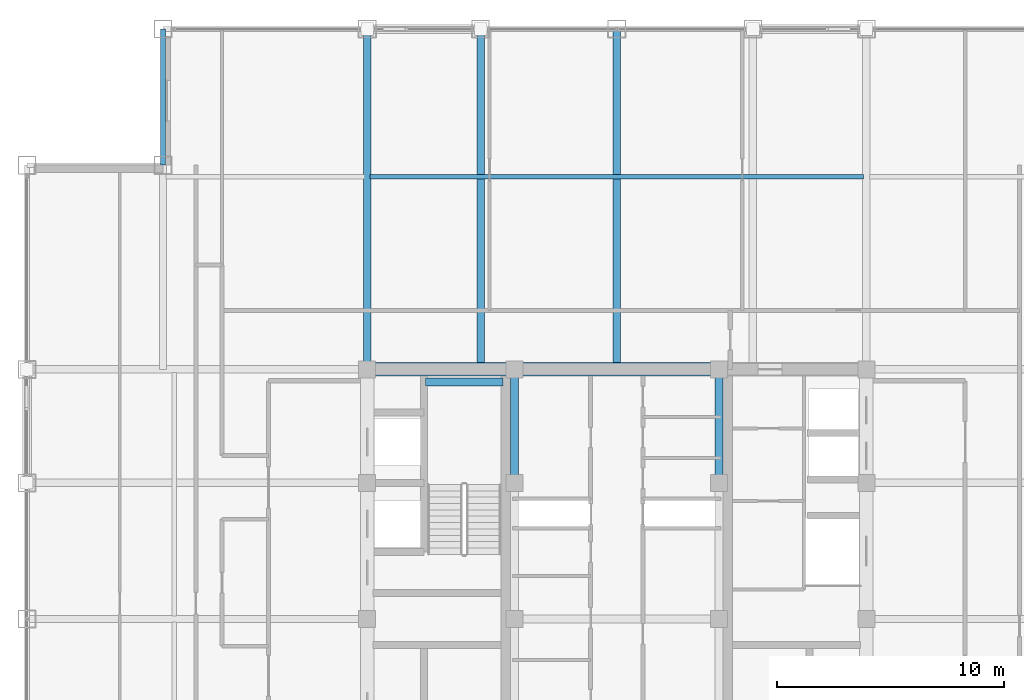
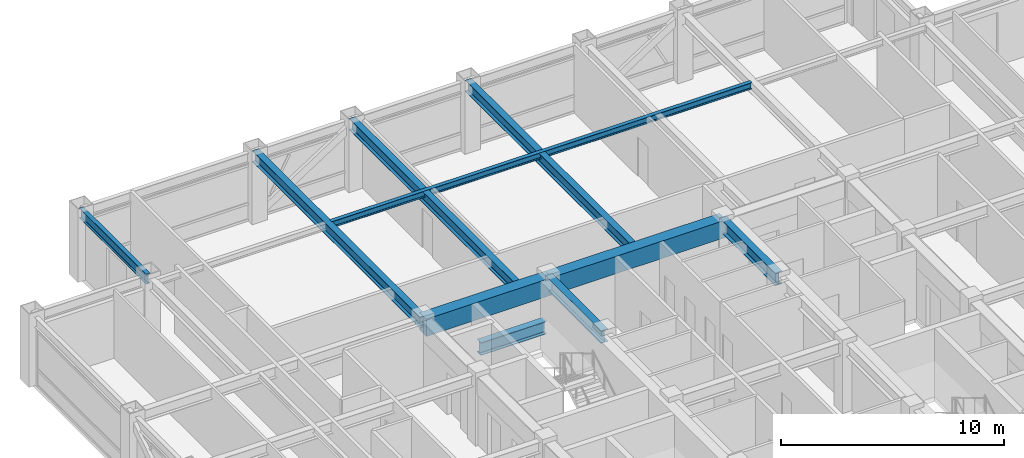
# One storey, part 15 of 28: 10 beams.
"""IFC4 building model written with IfcOpenShell, lengths in metres."""

from ifc_helpers import new_model, si_unit, direction, frame, origin, origin_2d, place, context, subcontext, project, spatial, rectangle, i_section, extrude, source, transform, mapped, material, material_profile, profile_set, type_object, element, save


model = new_model("IFC4")

# Units and contexts
model_context = context("Model", 3, precision=1e-05, world=origin(), true_north=direction((0.0, 1.0)))
body_context = subcontext(model_context, "Body", "Model", "MODEL_VIEW")
ifc_project = project(units=[si_unit("LENGTHUNIT", "METRE"), si_unit("AREAUNIT", "SQUARE_METRE"), si_unit("VOLUMEUNIT", "CUBIC_METRE"), si_unit("PLANEANGLEUNIT", "RADIAN"), si_unit("MASSUNIT", "GRAM", prefix="KILO")], contexts=[model_context])

# Site, building, storey
site_placement = place(None, origin())
site = spatial("IfcSite", under=ifc_project, at=site_placement, CompositionType="ELEMENT")
building_placement = place(site_placement, origin())
building = spatial("IfcBuilding", under=site, at=building_placement, Name="Khorayat Bourse Tower", CompositionType="ELEMENT")
storey_placement = place(building_placement, frame((0.0, 0.0, 338.300048828125)))
storey = spatial("IfcBuildingStorey", under=building, at=storey_placement, Name="L80", CompositionType="ELEMENT", Elevation=338.300048828125)

# Beams
ifc_material_1 = material(Name="Steel ASTM A992 Grade 50", Category="steel")
ifc_material_profile_1 = material_profile(ifc_material_1, i_section(OverallWidth=0.35498046875, OverallDepth=0.695068359375, WebThickness=0.015380859375, FlangeThickness=0.02490234375, FilletRadius=0.01806640625, at=origin_2d()), Name="W690X217")
ifc_profile_set_1 = profile_set([ifc_material_profile_1], Name="Steel ASTM A992 Grade 50")
beam_type_1 = type_object("IfcBeamType", Name="BM-GIRD-690", PredefinedType="BEAM", material=ifc_profile_set_1)
shared_shape_1 = source(origin(), body_context, "Body", "SweptSolid", [
    extrude(i_section(OverallWidth=0.35498046875, OverallDepth=0.695068359375, WebThickness=0.015380859375, FlangeThickness=0.02490234375, FilletRadius=0.01806640625, at=origin_2d()), origin(), (0.0, 0.0, 1.0), 5.0),
])
for number, where, z_axis, x_axis, name in (
    (1, (-4.5, 6.0, 3.392333984375), (0.0, 1.0, 0.0), (-1.0, 0.0, 0.0), "L80 BM-GIRD-690 BM-L80-CRX-08"),
    (2, (4.5, 6.0, 3.392333984375), (0.0, 1.0, 0.0), (-1.0, 0.0, 0.0), "L80 BM-GIRD-690 BM-L80-CRX-12"),
):
    element("IfcBeam", number, at=place(storey_placement, frame(where, z_axis=z_axis, x_axis=x_axis)), inside=storey, type_object=beam_type_1, Name=name, PredefinedType="BEAM", context=body_context, shape_type="MappedRepresentation", body=[
        mapped(shared_shape_1, transform((0.0, 0.0, 0.0), scale=1.0)),
    ])
shared_shape_2 = source(origin(), body_context, "Body", "SweptSolid", [
    extrude(i_section(OverallWidth=0.35498046875, OverallDepth=0.695068359375, WebThickness=0.015380859375, FlangeThickness=0.02490234375, FilletRadius=0.01806640625, at=origin_2d()), origin(), (0.0, 0.0, 1.0), 3.39990234375),
])
beam_1_placement = place(storey_placement, frame((-8.419921875, 10.449951171875, 1.452392578125), z_axis=(1.0, 0.0, 0.0), x_axis=(0.0, 1.0, 0.0)))
element("IfcBeam", 3, at=beam_1_placement, inside=storey, type_object=beam_type_1, Name="L80 BM-GIRD-690 BM-L80-ST2L", PredefinedType="BEAM", context=body_context, shape_type="MappedRepresentation", body=[
    mapped(shared_shape_2, transform((0.0, 0.0, 0.0), scale=1.0)),
])
ifc_material_2 = material(Name="Concrete C60/75", Category="concrete")
ifc_material_profile_2 = material_profile(ifc_material_2, rectangle(XDim=0.60009765625, YDim=0.949951171875, at=origin_2d()), Name="RC 600x950")
ifc_profile_set_2 = profile_set([ifc_material_profile_2], Name="Concrete C60/75")
beam_type_2 = type_object("IfcBeamType", Name="BM-COUP-950", PredefinedType="BEAM", material=ifc_profile_set_2)
shared_shape_3 = source(origin(), body_context, "Body", "SweptSolid", [
    extrude(rectangle(XDim=0.60009765625, YDim=0.949951171875, at=origin_2d()), origin(), (0.0, 0.0, 1.0), 6.5),
])
beam_2_placement = place(storey_placement, frame((-11.0, 11.0, 3.264892578125), z_axis=(1.0, 0.0, 0.0), x_axis=(0.0, 1.0, 0.0)))
element("IfcBeam", 4, at=beam_2_placement, inside=storey, type_object=beam_type_2, Name="L80 BM-COUP-950 BM-L80-CRY-20", PredefinedType="BEAM", context=body_context, shape_type="MappedRepresentation", body=[
    mapped(shared_shape_3, transform((0.0, 0.0, 0.0), scale=1.0)),
])
shared_shape_4 = source(origin(), body_context, "Body", "SweptSolid", [
    extrude(rectangle(XDim=0.60009765625, YDim=0.949951171875, at=origin_2d()), origin(), (0.0, 0.0, 1.0), 9.0),
])
beam_3_placement = place(storey_placement, frame((-4.5, 11.0, 3.264892578125), z_axis=(1.0, 0.0, 0.0), x_axis=(0.0, 1.0, 0.0)))
element("IfcBeam", 5, at=beam_3_placement, inside=storey, type_object=beam_type_2, Name="L80 BM-COUP-950 BM-L80-CRY-21", PredefinedType="BEAM", context=body_context, shape_type="MappedRepresentation", body=[
    mapped(shared_shape_4, transform((0.0, 0.0, 0.0), scale=1.0)),
])
ifc_material_profile_3 = material_profile(ifc_material_1, i_section(OverallWidth=0.202880859375, OverallDepth=0.346923828125, WebThickness=0.0078125, FlangeThickness=0.013427734375, FilletRadius=0.010009765625, at=origin_2d()), Name="W360X64")
ifc_profile_set_3 = profile_set([ifc_material_profile_3], Name="Steel ASTM A992 Grade 50")
beam_type_3 = type_object("IfcBeamType", Name="BM-JOIST-360", PredefinedType="JOIST", material=ifc_profile_set_3)
shared_shape_5 = source(origin(), body_context, "Body", "SweptSolid", [
    extrude(i_section(OverallWidth=0.202880859375, OverallDepth=0.346923828125, WebThickness=0.0078125, FlangeThickness=0.013427734375, FilletRadius=0.010009765625, at=origin_2d()), origin(), (0.0, 0.0, 1.0), 21.740234375),
])
beam_4_placement = place(storey_placement, frame((-10.8701171875, 19.5, 3.56640625), z_axis=(1.0, 0.0, 0.0), x_axis=(0.0, 1.0, 0.0)))
element("IfcBeam", 6, at=beam_4_placement, inside=storey, type_object=beam_type_3, Name="L80 BM-JOIST-360 BM-L80-JSTX-084", PredefinedType="JOIST", context=body_context, shape_type="MappedRepresentation", body=[
    mapped(shared_shape_5, transform((0.0, 0.0, 0.0), scale=1.0)),
])
ifc_material_profile_4 = material_profile(ifc_material_1, i_section(OverallWidth=0.214111328125, OverallDepth=0.549072265625, WebThickness=0.0146484375, FlangeThickness=0.023681640625, FilletRadius=0.013916015625, at=origin_2d()), Name="W530X138")
ifc_profile_set_4 = profile_set([ifc_material_profile_4], Name="Steel ASTM A992 Grade 50")
beam_type_4 = type_object("IfcBeamType", Name="BM-SPAN-530", PredefinedType="SPANDREL", material=ifc_profile_set_4)
shared_shape_6 = source(origin(), body_context, "Body", "SweptSolid", [
    extrude(i_section(OverallWidth=0.214111328125, OverallDepth=0.549072265625, WebThickness=0.0146484375, FlangeThickness=0.023681640625, FilletRadius=0.013916015625, at=origin_2d()), origin(), (0.0, 0.0, 1.0), 6.0),
])
beam_5_placement = place(storey_placement, frame((-20.0, 20.0, 3.46533203125), z_axis=(0.0, 1.0, 0.0), x_axis=(-1.0, 0.0, 0.0)))
element("IfcBeam", 7, at=beam_5_placement, inside=storey, type_object=beam_type_4, Name="L80 BM-SPAN-530 BM-L80-SPN-046", PredefinedType="SPANDREL", context=body_context, shape_type="MappedRepresentation", body=[
    mapped(shared_shape_6, transform((0.0, 0.0, 0.0), scale=1.0)),
])
ifc_material_profile_5 = material_profile(ifc_material_1, i_section(OverallWidth=0.324951171875, OverallDepth=0.615966796875, WebThickness=0.013916015625, FlangeThickness=0.021484375, FilletRadius=0.01611328125, at=origin_2d()), Name="W610X174")
ifc_profile_set_5 = profile_set([ifc_material_profile_5], Name="Steel ASTM A992 Grade 50")
beam_type_5 = type_object("IfcBeamType", Name="BM-GIRD-610", PredefinedType="BEAM", material=ifc_profile_set_5)
shared_shape_7 = source(origin(), body_context, "Body", "SweptSolid", [
    extrude(i_section(OverallWidth=0.324951171875, OverallDepth=0.615966796875, WebThickness=0.013916015625, FlangeThickness=0.021484375, FilletRadius=0.01611328125, at=origin_2d()), origin(), (0.0, 0.0, 1.0), 15.0),
])
for number, where, z_axis, x_axis, name in (
    (8, (-11.0, 11.0, 3.431884765625), (0.0, 1.0, 0.0), (-1.0, 0.0, 0.0), "L80 BM-GIRD-610 BM-L80-RADY-056"),
    (9, (-6.0, 11.0, 3.431884765625), (0.0, 1.0, 0.0), (-1.0, 0.0, 0.0), "L80 BM-GIRD-610 BM-L80-RADY-058"),
    (10, (0.0, 11.0, 3.431884765625), (0.0, 1.0, 0.0), (-1.0, 0.0, 0.0), "L80 BM-GIRD-610 BM-L80-RADY-060"),
):
    element("IfcBeam", number, at=place(storey_placement, frame(where, z_axis=z_axis, x_axis=x_axis)), inside=storey, type_object=beam_type_5, Name=name, PredefinedType="BEAM", context=body_context, shape_type="MappedRepresentation", body=[
        mapped(shared_shape_7, transform((0.0, 0.0, 0.0), scale=1.0)),
    ])

save(model, "model.ifc")
